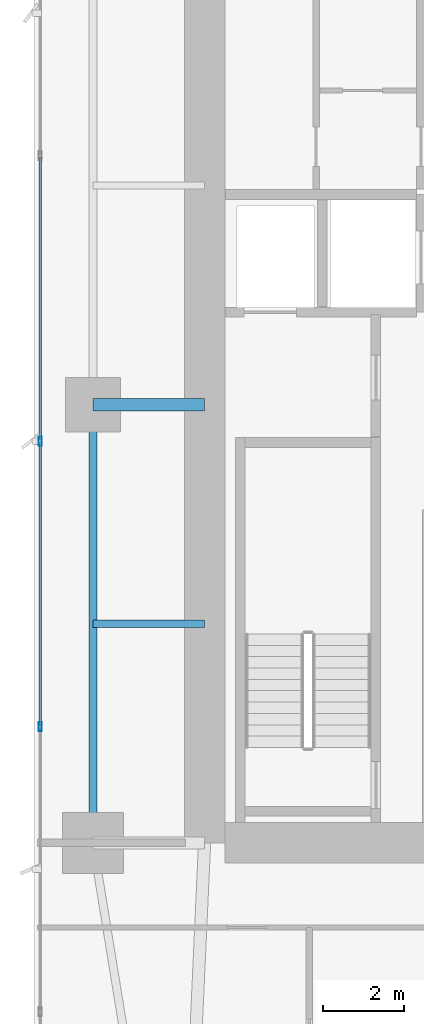
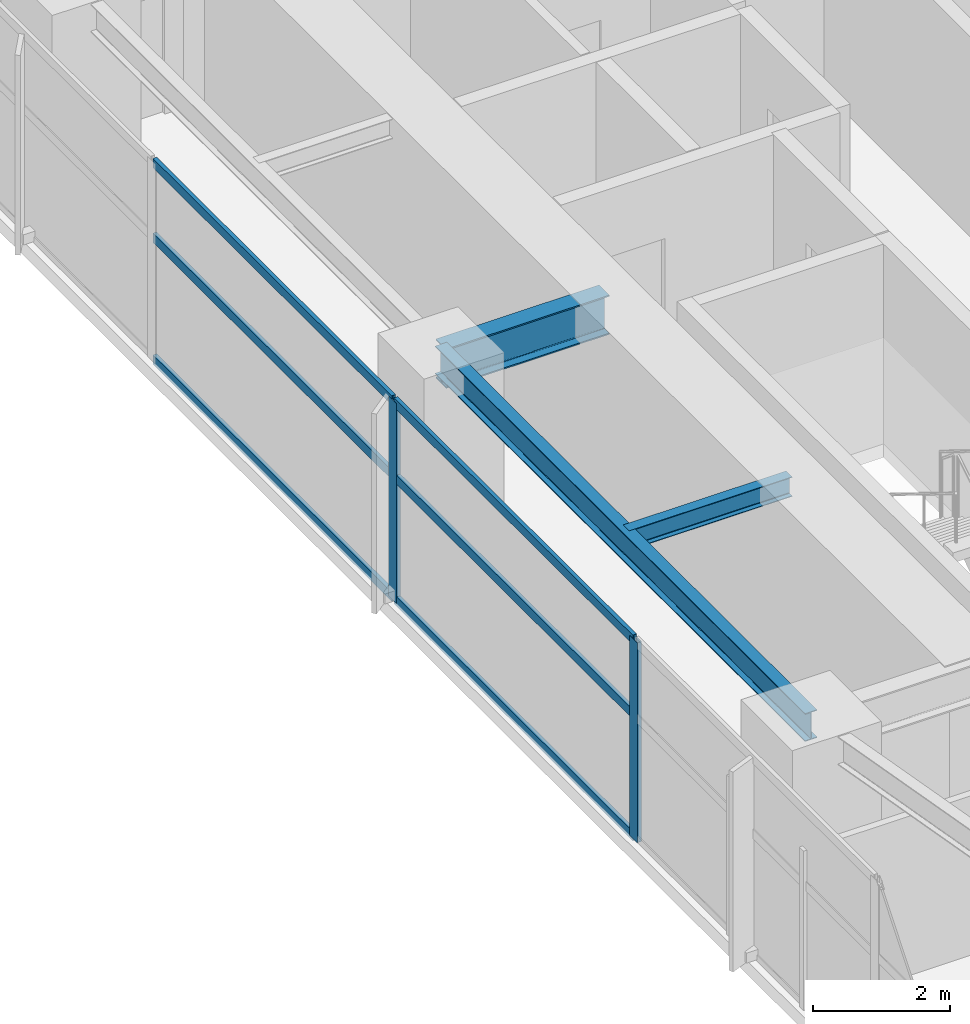
# One storey, part 8 of 29: 8 members, 3 beams, 1 element without a shape of its own.
"""IFC4 building model written with IfcOpenShell, lengths in metres."""

from ifc_helpers import new_model, si_unit, direction, frame, origin, origin_2d, place, context, subcontext, project, spatial, hollow_rectangle, i_section, extrude, material, layer, layer_set, material_profile, profile_set, type_object, element, aggregate, save


model = new_model("IFC4")

# Units and contexts
model_context = context("Model", 3, precision=1e-05, world=origin(), true_north=direction((0.0, 1.0)))
body_context = subcontext(model_context, "Body", "Model", "MODEL_VIEW")
ifc_project = project(units=[si_unit("LENGTHUNIT", "METRE"), si_unit("AREAUNIT", "SQUARE_METRE"), si_unit("VOLUMEUNIT", "CUBIC_METRE"), si_unit("PLANEANGLEUNIT", "RADIAN"), si_unit("MASSUNIT", "GRAM", prefix="KILO")], contexts=[model_context])

# Site, building, storey
site_placement = place(None, origin())
site = spatial("IfcSite", under=ifc_project, at=site_placement, CompositionType="ELEMENT")
building_placement = place(site_placement, origin())
building = spatial("IfcBuilding", under=site, at=building_placement, Name="Calvorn Quay Hotel", CompositionType="ELEMENT")
storey_placement = place(building_placement, frame((0.0, 0.0, 69.800048828125)))
storey = spatial("IfcBuildingStorey", under=building, at=storey_placement, Name="L16", CompositionType="ELEMENT", Elevation=69.800048828125)

# Beams
ifc_material_1 = material(Name="Steel Q390GJC", Category="steel")
ifc_material_profile_1 = material_profile(ifc_material_1, i_section(OverallWidth=0.300048828125, OverallDepth=0.699951171875, WebThickness=0.012939453125, FlangeThickness=0.02392578125, FilletRadius=0.02392578125, at=origin_2d()), Name="HN700x300x13x24")
ifc_profile_set_1 = profile_set([ifc_material_profile_1], Name="Steel Q390GJC")
beam_type_1 = type_object("IfcBeamType", Name="BM-GIRD-MAIN", PredefinedType="BEAM", material=ifc_profile_set_1)
beam_1_placement = place(storey_placement, frame((1.449951171875, 27.60009765625, 3.18994140625), z_axis=(1.0, 0.0, 0.0), x_axis=(0.0, 1.0, 0.0)))
element("IfcBeam", 1, at=beam_1_placement, inside=storey, type_object=beam_type_1, Name="Beam BG-L16-W2", PredefinedType="BEAM", context=body_context, shape_type="SweptSolid", body=[
    extrude(i_section(OverallWidth=0.300048828125, OverallDepth=0.699951171875, WebThickness=0.012939453125, FlangeThickness=0.02392578125, FilletRadius=0.02392578125, at=origin_2d()), origin(), (0.0, 0.0, 1.0), 2.75),
])
ifc_material_2 = material(Name="Steel Q355B", Category="steel")
ifc_material_profile_2 = material_profile(ifc_material_2, i_section(OverallWidth=0.175048828125, OverallDepth=0.35009765625, WebThickness=0.007080078125, FlangeThickness=0.010986328125, FilletRadius=0.013916015625, at=origin_2d()), Name="HN350x175x7x11")
ifc_profile_set_2 = profile_set([ifc_material_profile_2], Name="Steel Q355B")
beam_type_2 = type_object("IfcBeamType", Name="BM-JOIST-SEC", PredefinedType="JOIST", material=ifc_profile_set_2)
beam_2_placement = place(storey_placement, frame((1.449951171875, 22.199951171875, 3.364990234375), z_axis=(1.0, 0.0, 0.0), x_axis=(0.0, 1.0, 0.0)))
element("IfcBeam", 2, at=beam_2_placement, inside=storey, type_object=beam_type_2, Name="Beam BJ-L16-W3", PredefinedType="JOIST", context=body_context, shape_type="SweptSolid", body=[
    extrude(i_section(OverallWidth=0.175048828125, OverallDepth=0.35009765625, WebThickness=0.007080078125, FlangeThickness=0.010986328125, FilletRadius=0.013916015625, at=origin_2d()), origin(), (0.0, 0.0, 1.0), 2.75),
])
ifc_material_3 = material(Name="Steel Q355B", Category="steel")
ifc_material_profile_3 = material_profile(ifc_material_3, i_section(OverallWidth=0.199951171875, OverallDepth=0.5, WebThickness=0.010009765625, FlangeThickness=0.01611328125, FilletRadius=0.01611328125, at=origin_2d()), Name="HN500x200x10x16")
ifc_profile_set_3 = profile_set([ifc_material_profile_3], Name="Steel Q355B")
beam_type_3 = type_object("IfcBeamType", Name="BM-SPANDREL-Z1", PredefinedType="SPANDREL", material=ifc_profile_set_3)
beam_3_placement = place(storey_placement, frame((1.449951171875, 16.800048828125, 3.2900390625), z_axis=(0.0, 1.0, 0.0), x_axis=(-1.0, 0.0, 0.0)))
element("IfcBeam", 3, at=beam_3_placement, inside=storey, type_object=beam_type_3, Name="Beam BSP-L16-W2", PredefinedType="SPANDREL", context=body_context, shape_type="SweptSolid", body=[
    extrude(i_section(OverallWidth=0.199951171875, OverallDepth=0.5, WebThickness=0.010009765625, FlangeThickness=0.01611328125, FilletRadius=0.01611328125, at=origin_2d()), origin(), (0.0, 0.0, 1.0), 10.800048828125),
])

# Curtain wall, members
ifc_material_4 = material(Name="Pale Anodised Aluminium and Low-E Glass", Category="aluminium")
ifc_layer = layer(ifc_material_4, 0.219970703125)
ifc_layer_set = layer_set([ifc_layer], Name="CW-SYS-Z1")
curtain_wall_type = type_object("IfcCurtainWallType", Name="CW-SYS-Z1", PredefinedType="NOTDEFINED", material=ifc_layer_set)
curtain_wall_placement = place(storey_placement, origin())
curtain_wall = element("IfcCurtainWall", 4, at=curtain_wall_placement, inside=storey, type_object=curtain_wall_type, Name="Tower West Curtain Wall (L16)", PredefinedType="NOTDEFINED")
ifc_material_5 = material(Name="Pale Anodised Aluminium 6063-T6", Category="aluminium")
ifc_material_profile_4 = material_profile(ifc_material_5, hollow_rectangle(XDim=0.074951171875, YDim=0.219970703125, WallThickness=0.00439453125, at=origin_2d()), Name="ALU-M220x75x4.5")
ifc_profile_set_4 = profile_set([ifc_material_profile_4], Name="Pale Anodised Aluminium 6063-T6")
member_type_1 = type_object("IfcMemberType", Name="CW-SYS-Z1-MUL", PredefinedType="MULLION", material=ifc_profile_set_4)
member_1_placement = place(storey_placement, frame((0.14990234375, 19.666748046875, 0.0), z_axis=(0.0, 0.0, 1.0), x_axis=(-1.0, 0.0, 0.0)))
member_1 = element("IfcMember", 5, at=member_1_placement, type_object=member_type_1, Name="CW-L16-W mullion 3", PredefinedType="MULLION", context=body_context, shape_type="SweptSolid", body=[
    extrude(hollow_rectangle(XDim=0.074951171875, YDim=0.219970703125, WallThickness=0.00439453125, at=origin_2d()), origin(), (0.0, 0.0, 1.0), 3.56005859375),
])
member_2_placement = place(storey_placement, frame((0.14990234375, 26.699951171875, 0.0), z_axis=(0.0, 0.0, 1.0), x_axis=(-1.0, 0.0, 0.0)))
member_2 = element("IfcMember", 6, at=member_2_placement, type_object=member_type_1, Name="CW-L16-W mullion 4", PredefinedType="MULLION", context=body_context, shape_type="SweptSolid", body=[
    extrude(hollow_rectangle(XDim=0.074951171875, YDim=0.219970703125, WallThickness=0.00439453125, at=origin_2d()), origin(), (0.0, 0.0, 1.0), 3.56005859375),
])
ifc_material_6 = material(Name="Pale Anodised Aluminium 6063-T6", Category="aluminium")
ifc_material_profile_5 = material_profile(ifc_material_6, hollow_rectangle(XDim=0.06494140625, YDim=0.1650390625, WallThickness=0.00341796875, at=origin_2d()), Name="ALU-T165x65x3.5")
ifc_profile_set_5 = profile_set([ifc_material_profile_5], Name="Pale Anodised Aluminium 6063-T6")
member_type_2 = type_object("IfcMemberType", Name="CW-SYS-Z1-TRN", PredefinedType="USERDEFINED", material=ifc_profile_set_5)
member_3_placement = place(storey_placement, frame((0.14990234375, 19.69677734375, 0.030029296875), z_axis=(0.0, 1.0, 0.0), x_axis=(-1.0, 0.0, 0.0)))
member_3 = element("IfcMember", 7, at=member_3_placement, type_object=member_type_2, Name="CW-L16-W transom 3.1", ObjectType="TRANSOM", PredefinedType="USERDEFINED", context=body_context, shape_type="SweptSolid", body=[
    extrude(hollow_rectangle(XDim=0.06494140625, YDim=0.1650390625, WallThickness=0.00341796875, at=origin_2d()), origin(), (0.0, 0.0, 1.0), 6.97314453125),
])
member_4_placement = place(storey_placement, frame((0.14990234375, 19.69677734375, 2.199951171875), z_axis=(0.0, 1.0, 0.0), x_axis=(-1.0, 0.0, 0.0)))
member_4 = element("IfcMember", 8, at=member_4_placement, type_object=member_type_2, Name="CW-L16-W transom 3.2", ObjectType="TRANSOM", PredefinedType="USERDEFINED", context=body_context, shape_type="SweptSolid", body=[
    extrude(hollow_rectangle(XDim=0.06494140625, YDim=0.1650390625, WallThickness=0.00341796875, at=origin_2d()), origin(), (0.0, 0.0, 1.0), 6.97314453125),
])
member_5_placement = place(storey_placement, frame((0.14990234375, 19.69677734375, 3.530029296875), z_axis=(0.0, 1.0, 0.0), x_axis=(-1.0, 0.0, 0.0)))
member_5 = element("IfcMember", 9, at=member_5_placement, type_object=member_type_2, Name="CW-L16-W transom 3.3", ObjectType="TRANSOM", PredefinedType="USERDEFINED", context=body_context, shape_type="SweptSolid", body=[
    extrude(hollow_rectangle(XDim=0.06494140625, YDim=0.1650390625, WallThickness=0.00341796875, at=origin_2d()), origin(), (0.0, 0.0, 1.0), 6.97314453125),
])
member_6_placement = place(storey_placement, frame((0.14990234375, 26.72998046875, 0.030029296875), z_axis=(0.0, 1.0, 0.0), x_axis=(-1.0, 0.0, 0.0)))
member_6 = element("IfcMember", 10, at=member_6_placement, type_object=member_type_2, Name="CW-L16-W transom 4.1", ObjectType="TRANSOM", PredefinedType="USERDEFINED", context=body_context, shape_type="SweptSolid", body=[
    extrude(hollow_rectangle(XDim=0.06494140625, YDim=0.1650390625, WallThickness=0.00341796875, at=origin_2d()), origin(), (0.0, 0.0, 1.0), 6.973388671875),
])
member_7_placement = place(storey_placement, frame((0.14990234375, 26.72998046875, 2.199951171875), z_axis=(0.0, 1.0, 0.0), x_axis=(-1.0, 0.0, 0.0)))
member_7 = element("IfcMember", 11, at=member_7_placement, type_object=member_type_2, Name="CW-L16-W transom 4.2", ObjectType="TRANSOM", PredefinedType="USERDEFINED", context=body_context, shape_type="SweptSolid", body=[
    extrude(hollow_rectangle(XDim=0.06494140625, YDim=0.1650390625, WallThickness=0.00341796875, at=origin_2d()), origin(), (0.0, 0.0, 1.0), 6.973388671875),
])
member_8_placement = place(storey_placement, frame((0.14990234375, 26.72998046875, 3.530029296875), z_axis=(0.0, 1.0, 0.0), x_axis=(-1.0, 0.0, 0.0)))
member_8 = element("IfcMember", 12, at=member_8_placement, type_object=member_type_2, Name="CW-L16-W transom 4.3", ObjectType="TRANSOM", PredefinedType="USERDEFINED", context=body_context, shape_type="SweptSolid", body=[
    extrude(hollow_rectangle(XDim=0.06494140625, YDim=0.1650390625, WallThickness=0.00341796875, at=origin_2d()), origin(), (0.0, 0.0, 1.0), 6.973388671875),
])
aggregate(curtain_wall, [member_1, member_2, member_3, member_4, member_5, member_6, member_7, member_8])

save(model, "model.ifc")
